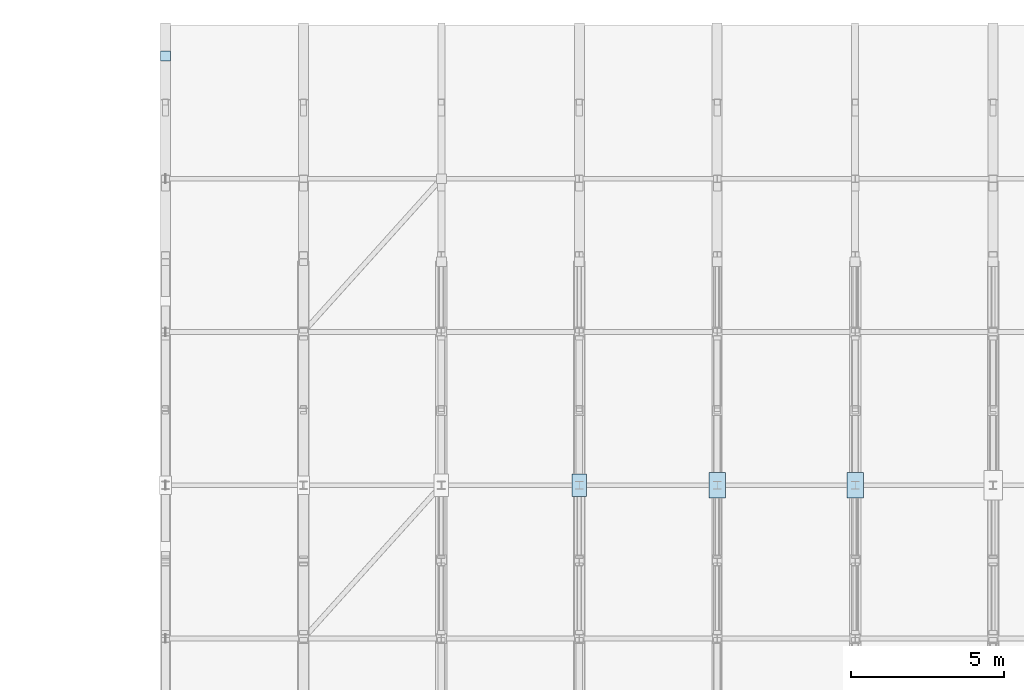
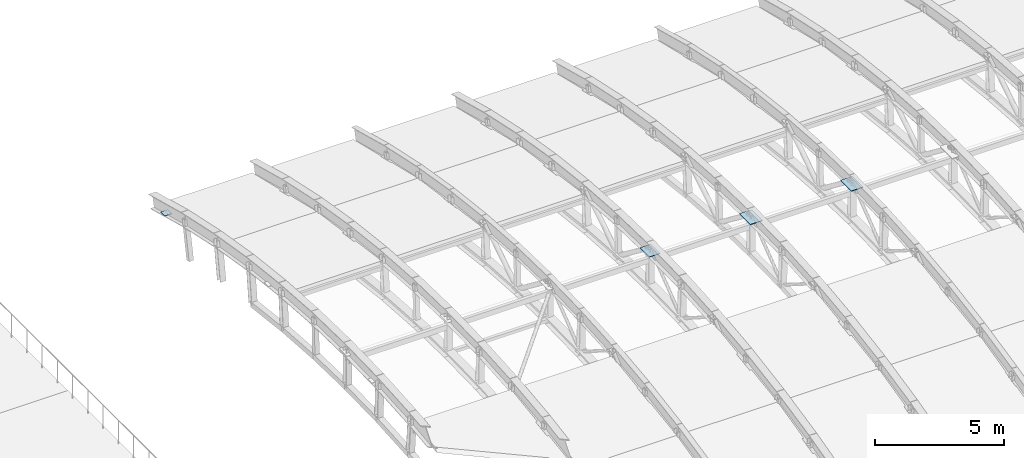
# One storey, part 35 of 53: 4 plates.
"""IFC4 building model written with IfcOpenShell, lengths in metres."""

from ifc_helpers import new_model, si_unit, direction, frame, origin, origin_2d, place, context, subcontext, project, spatial, rectangle, extrude, material, layer, layer_set, type_object, element, save


model = new_model("IFC4")

# Units and contexts
model_context = context("Model", 3, precision=1e-05, world=origin(), true_north=direction((0.0, 1.0)))
body_context = subcontext(model_context, "Body", "Model", "MODEL_VIEW")
ifc_project = project(units=[si_unit("LENGTHUNIT", "METRE"), si_unit("AREAUNIT", "SQUARE_METRE"), si_unit("VOLUMEUNIT", "CUBIC_METRE"), si_unit("PLANEANGLEUNIT", "RADIAN"), si_unit("MASSUNIT", "GRAM", prefix="KILO")], contexts=[model_context])

# Site, building, storey
site_placement = place(None, origin())
site = spatial("IfcSite", under=ifc_project, at=site_placement, CompositionType="ELEMENT")
building_placement = place(site_placement, origin())
building = spatial("IfcBuilding", under=site, at=building_placement, Name="Cazmaro Siding Exhibition Halls", CompositionType="ELEMENT")
storey_placement = place(building_placement, frame((0.0, 0.0, 21.0)))
storey = spatial("IfcBuildingStorey", under=building, at=storey_placement, Name="L04", CompositionType="ELEMENT", Elevation=21.0)

# Plates
ifc_material_1 = material(Name="Steel ASTM A572 Grade 50", Category="steel")
ifc_layer_1 = layer(ifc_material_1, 0.02001953125)
ifc_layer_set_1 = layer_set([ifc_layer_1], Name="Steel ASTM A572 Grade 50")
plate_type_1 = type_object("IfcPlateType", Name="CP-02", PredefinedType="SHEET", material=ifc_layer_set_1)
plate_1_placement = place(storey_placement, frame((45.0, 108.0, 0.35595703125), z_axis=(0.0, 0.0, 1.0), x_axis=(1.0, 0.0, 0.0)))
element("IfcPlate", 1, at=plate_1_placement, inside=storey, type_object=plate_type_1, Name="HSS column top end-cap plate CP-02", PredefinedType="SHEET", context=body_context, shape_type="SweptSolid", body=[
    extrude(rectangle(XDim=0.320068359375, YDim=0.320068359375, at=origin_2d()), origin(), (0.0, 0.0, 1.0), 0.02001953125),
])
ifc_material_2 = material(Name="Steel ASTM A572 Grade 50", Category="steel")
ifc_layer_2 = layer(ifc_material_2, 0.02001953125)
ifc_layer_set_2 = layer_set([ifc_layer_2], Name="Steel ASTM A572 Grade 50")
plate_type_2 = type_object("IfcPlateType", Name="GP-02", PredefinedType="USERDEFINED", material=ifc_layer_set_2)
plate_2_placement = place(storey_placement, frame((58.5, 94.0, 2.340087890625), z_axis=(0.0, 0.0, 1.0), x_axis=(0.0, 1.0, 0.0)))
element("IfcPlate", 2, at=plate_2_placement, inside=storey, type_object=plate_type_2, Name="Space frame vault crown gusset plate GP-02 node TN-02", ObjectType="GUSSET PLATE", PredefinedType="USERDEFINED", context=body_context, shape_type="SweptSolid", body=[
    extrude(rectangle(XDim=0.719970703125, YDim=0.47998046875, at=origin_2d()), origin(), (0.0, 0.0, 1.0), 0.02001953125),
])
ifc_material_3 = material(Name="Steel ASTM A572 Grade 50", Category="steel")
ifc_layer_3 = layer(ifc_material_3, 0.030029296875)
ifc_layer_set_3 = layer_set([ifc_layer_3], Name="Steel ASTM A572 Grade 50")
plate_type_3 = type_object("IfcPlateType", Name="GP-03", PredefinedType="USERDEFINED", material=ifc_layer_set_3)
for number, where, z_axis, x_axis, name in (
    (3, (63.0, 94.0, 2.3349609375), (0.0, 0.0, 1.0), (0.0, 1.0, 0.0), "Space frame vault crown gusset plate GP-03 node TN-02"),
    (4, (67.5, 94.0, 2.3349609375), (0.0, 0.0, 1.0), (0.0, 1.0, 0.0), "Space frame vault crown gusset plate GP-03 node TN-02"),
):
    element("IfcPlate", number, at=place(storey_placement, frame(where, z_axis=z_axis, x_axis=x_axis)), inside=storey, type_object=plate_type_3, Name=name, ObjectType="GUSSET PLATE", PredefinedType="USERDEFINED", context=body_context, shape_type="SweptSolid", body=[
        extrude(rectangle(XDim=0.840087890625, YDim=0.5400390625, at=origin_2d()), origin(), (0.0, 0.0, 1.0), 0.030029296875),
    ])

save(model, "model.ifc")
